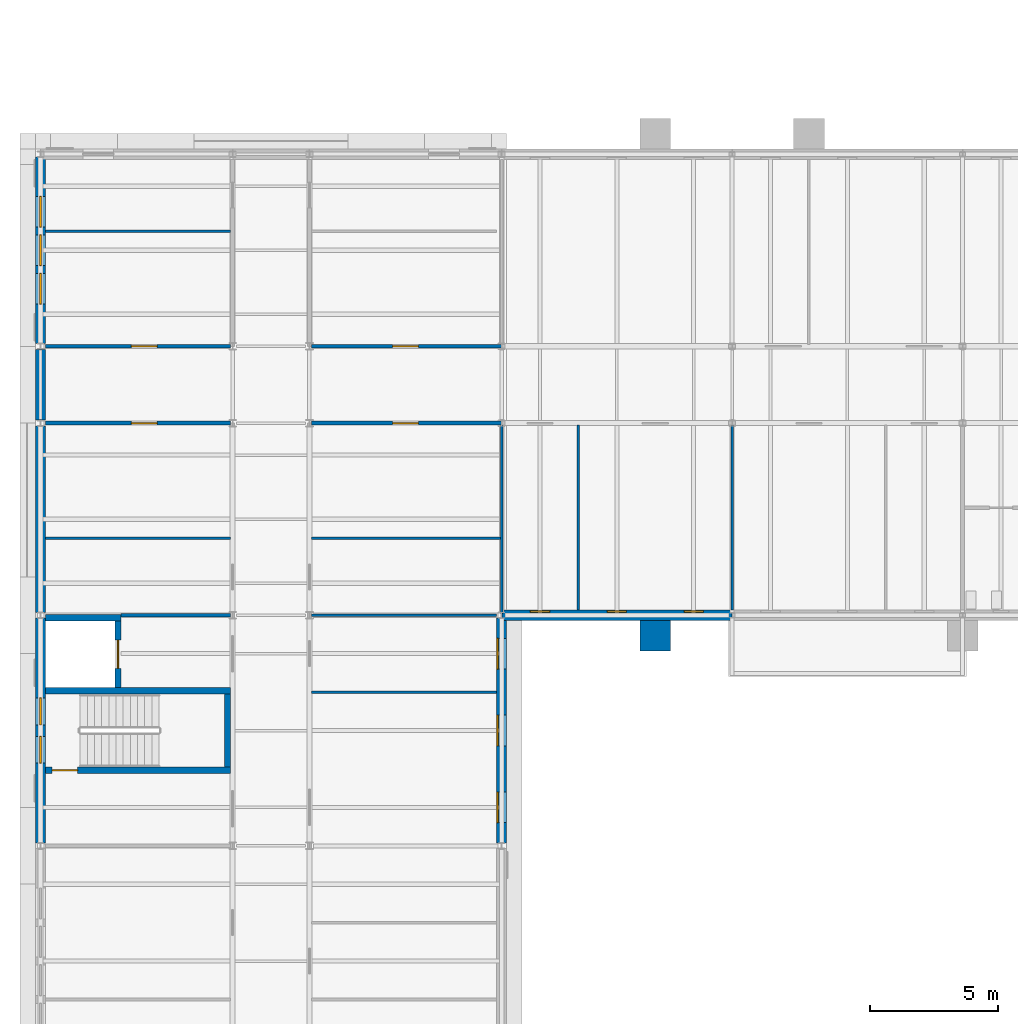
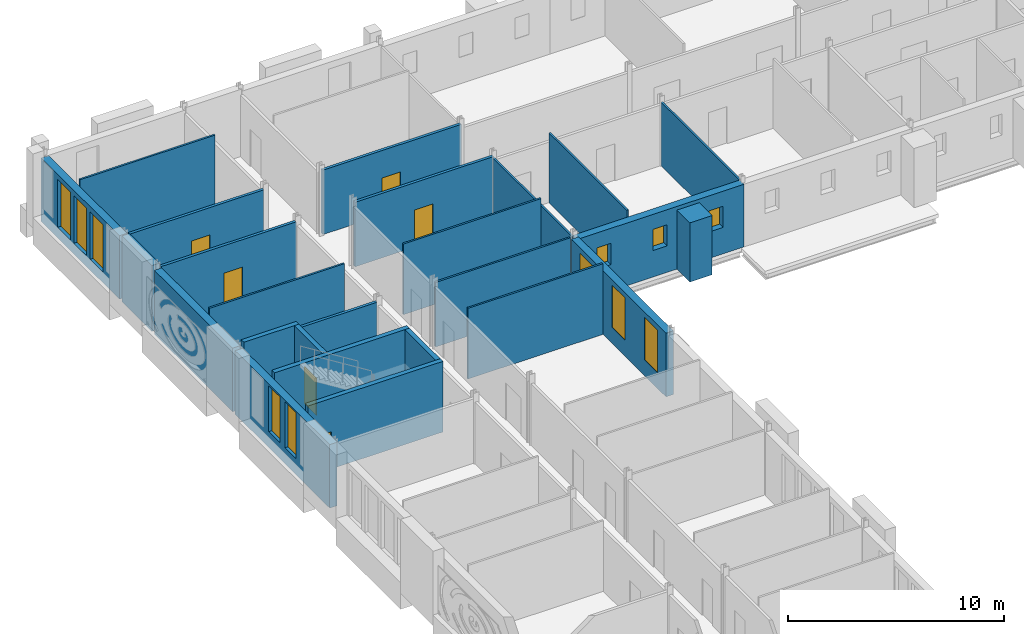
# One storey, part 92 of 121: 25 walls, 11 windows, 6 doors, 17 openings.
"""IFC4 building model written with IfcOpenShell, lengths in metres."""

from ifc_helpers import new_model, si_unit, direction, frame, frame_2d, origin, place, context, subcontext, project, spatial, rectangle, extrude, material, layer, layer_set, type_object, element, fill, save


model = new_model("IFC4")

# Units and contexts
model_context = context("Model", 3, precision=1e-05, world=origin(), true_north=direction((0.0, 1.0)))
body_context = subcontext(model_context, "Body", "Model", "MODEL_VIEW")
ifc_project = project(units=[si_unit("LENGTHUNIT", "METRE"), si_unit("AREAUNIT", "SQUARE_METRE"), si_unit("VOLUMEUNIT", "CUBIC_METRE"), si_unit("PLANEANGLEUNIT", "RADIAN"), si_unit("MASSUNIT", "GRAM", prefix="KILO")], contexts=[model_context])

# Site, building, storey
site_placement = place(None, origin())
site = spatial("IfcSite", under=ifc_project, at=site_placement, CompositionType="ELEMENT")
building_placement = place(site_placement, origin())
building = spatial("IfcBuilding", under=site, at=building_placement, Name="Golden Quay Civic Hall", CompositionType="ELEMENT")
storey_placement = place(building_placement, frame((0.0, 0.0, 18.60009765625)))
storey = spatial("IfcBuildingStorey", under=building, at=storey_placement, Name="L04", CompositionType="ELEMENT", Elevation=18.60009765625)

# Wall, openings, windows
ifc_material_1 = material(Name="Brick, dark clay facing", Category="masonry")
ifc_layer_1 = layer(ifc_material_1, 0.39990234375)
ifc_layer_set_1 = layer_set([ifc_layer_1], Name="Brick external wall 400")
wall_type_1 = type_object("IfcWallType", Name="Brick external wall 400", PredefinedType="STANDARD", material=ifc_layer_set_1)
wall_1_placement = place(storey_placement, frame((18.0, 62.885009765625, 0.0), z_axis=(0.0, 0.0, 1.0), x_axis=(0.0, -1.0, 0.0)))
wall_1 = element("IfcWall", 1, at=wall_1_placement, inside=storey, type_object=wall_type_1, Name="Brick external wall 400 L04 1", PredefinedType="STANDARD", context=body_context, shape_type="SweptSolid", body=[
    extrude(rectangle(XDim=8.77001953125, YDim=0.39990234375, at=frame_2d((4.385009765625, 0.0))), origin(), (0.0, 0.0, 1.0), 3.599853515625),
])
opening_1_placement = place(wall_1_placement, frame((6.784912109375, 0.0, 0.89990234375)))
opening_1 = element("IfcOpeningElement", 2, at=opening_1_placement, cuts=wall_1, Name="Opening WN7", PredefinedType="OPENING", context=body_context, shape_type="SweptSolid", body=[
    extrude(rectangle(XDim=1.199951171875, YDim=2.39990234375, at=frame_2d((0.60009765625, 1.199951171875))), frame((0.0, 0.2099609375, 0.0), z_axis=(0.0, -1.0, 0.0), x_axis=(1.0, 0.0, 0.0)), (0.0, 0.0, 1.0), 0.419921875),
])
opening_2_placement = place(wall_1_placement, frame((3.784912109375, 0.0, 0.89990234375)))
opening_2 = element("IfcOpeningElement", 3, at=opening_2_placement, cuts=wall_1, Name="Opening WN7", PredefinedType="OPENING", context=body_context, shape_type="SweptSolid", body=[
    extrude(rectangle(XDim=1.199951171875, YDim=2.39990234375, at=frame_2d((0.60009765625, 1.199951171875))), frame((0.0, 0.2099609375, 0.0), z_axis=(0.0, -1.0, 0.0), x_axis=(1.0, 0.0, 0.0)), (0.0, 0.0, 1.0), 0.419921875),
])
opening_3_placement = place(wall_1_placement, frame((0.784912109375, 0.0, 0.89990234375)))
opening_3 = element("IfcOpeningElement", 4, at=opening_3_placement, cuts=wall_1, Name="Opening WN7", PredefinedType="OPENING", context=body_context, shape_type="SweptSolid", body=[
    extrude(rectangle(XDim=1.199951171875, YDim=2.39990234375, at=frame_2d((0.60009765625, 1.199951171875))), frame((0.0, 0.2099609375, 0.0), z_axis=(0.0, -1.0, 0.0), x_axis=(1.0, 0.0, 0.0)), (0.0, 0.0, 1.0), 0.419921875),
])
ifc_material_2 = material(Name="Aluminium frame, double glazed", Category="aluminium")
window_type_1 = type_object("IfcWindowType", Name="Window 1200 x 2400", PartitioningType="SINGLE_PANEL", PredefinedType="WINDOW", material=ifc_material_2)
window_1_placement = place(opening_1_placement, origin())
window_1 = element("IfcWindow", 5, at=window_1_placement, inside=storey, type_object=window_type_1, Name="Window 1200 x 2400 L04 1", OverallHeight=2.39990234375, OverallWidth=1.199951171875, PartitioningType="SINGLE_PANEL", PredefinedType="WINDOW", context=body_context, shape_type="SweptSolid", body=[
    extrude(rectangle(XDim=1.199951171875, YDim=2.39990234375, at=frame_2d((0.60009765625, 1.199951171875))), frame((0.0, -0.119873046875, 0.0), z_axis=(0.0, -1.0, 0.0), x_axis=(1.0, 0.0, 0.0)), (0.0, 0.0, 1.0), 0.06005859375),
])
fill(opening_1, window_1)
window_2_placement = place(opening_2_placement, origin())
window_2 = element("IfcWindow", 6, at=window_2_placement, inside=storey, type_object=window_type_1, Name="Window 1200 x 2400 L04 2", OverallHeight=2.39990234375, OverallWidth=1.199951171875, PartitioningType="SINGLE_PANEL", PredefinedType="WINDOW", context=body_context, shape_type="SweptSolid", body=[
    extrude(rectangle(XDim=1.199951171875, YDim=2.39990234375, at=frame_2d((0.60009765625, 1.199951171875))), frame((0.0, -0.119873046875, 0.0), z_axis=(0.0, -1.0, 0.0), x_axis=(1.0, 0.0, 0.0)), (0.0, 0.0, 1.0), 0.06005859375),
])
fill(opening_2, window_2)
window_3_placement = place(opening_3_placement, origin())
window_3 = element("IfcWindow", 7, at=window_3_placement, inside=storey, type_object=window_type_1, Name="Window 1200 x 2400 L04 3", OverallHeight=2.39990234375, OverallWidth=1.199951171875, PartitioningType="SINGLE_PANEL", PredefinedType="WINDOW", context=body_context, shape_type="SweptSolid", body=[
    extrude(rectangle(XDim=1.199951171875, YDim=2.39990234375, at=frame_2d((0.60009765625, 1.199951171875))), frame((0.0, -0.119873046875, 0.0), z_axis=(0.0, -1.0, 0.0), x_axis=(1.0, 0.0, 0.0)), (0.0, 0.0, 1.0), 0.06005859375),
])
fill(opening_3, window_3)

wall_2_placement = place(storey_placement, frame((26.99169921875, 63.0, 0.0), z_axis=(0.0, 0.0, 1.0), x_axis=(-1.0, 0.0, 0.0)))
wall_2 = element("IfcWall", 8, at=wall_2_placement, inside=storey, type_object=wall_type_1, Name="Brick external wall 400 L04 8", PredefinedType="STANDARD", context=body_context, shape_type="SweptSolid", body=[
    extrude(rectangle(XDim=8.98291015625, YDim=0.39990234375, at=frame_2d((4.491455078125, 0.0))), origin(), (0.0, 0.0, 1.0), 3.5498046875),
])
opening_4_placement = place(wall_2_placement, frame((7.11669921875, 0.0, 1.5)))
opening_4 = element("IfcOpeningElement", 9, at=opening_4_placement, cuts=wall_2, Name="Opening WN11", PredefinedType="OPENING", context=body_context, shape_type="SweptSolid", body=[
    extrude(rectangle(XDim=0.75, YDim=1.199951171875, at=frame_2d((0.375, 0.60009765625))), frame((0.0, 0.2099609375, 0.0), z_axis=(0.0, -1.0, 0.0), x_axis=(1.0, 0.0, 0.0)), (0.0, 0.0, 1.0), 0.419921875),
])
opening_5_placement = place(wall_2_placement, frame((4.11669921875, 0.0, 1.5)))
opening_5 = element("IfcOpeningElement", 10, at=opening_5_placement, cuts=wall_2, Name="Opening WN11", PredefinedType="OPENING", context=body_context, shape_type="SweptSolid", body=[
    extrude(rectangle(XDim=0.75, YDim=1.199951171875, at=frame_2d((0.375, 0.60009765625))), frame((0.0, 0.2099609375, 0.0), z_axis=(0.0, -1.0, 0.0), x_axis=(1.0, 0.0, 0.0)), (0.0, 0.0, 1.0), 0.419921875),
])
opening_6_placement = place(wall_2_placement, frame((1.11669921875, 0.0, 1.5)))
opening_6 = element("IfcOpeningElement", 11, at=opening_6_placement, cuts=wall_2, Name="Opening WN11", PredefinedType="OPENING", context=body_context, shape_type="SweptSolid", body=[
    extrude(rectangle(XDim=0.75, YDim=1.199951171875, at=frame_2d((0.375, 0.60009765625))), frame((0.0, 0.2099609375, 0.0), z_axis=(0.0, -1.0, 0.0), x_axis=(1.0, 0.0, 0.0)), (0.0, 0.0, 1.0), 0.419921875),
])
ifc_material_3 = material(Name="Aluminium frame, double glazed", Category="aluminium")
window_type_2 = type_object("IfcWindowType", Name="Attic pair window 750 x 1200", PartitioningType="SINGLE_PANEL", PredefinedType="WINDOW", material=ifc_material_3)
window_4_placement = place(opening_4_placement, origin())
window_4 = element("IfcWindow", 12, at=window_4_placement, inside=storey, type_object=window_type_2, Name="Attic pair window 750 x 1200 L04 15", OverallHeight=1.199951171875, OverallWidth=0.75, PartitioningType="SINGLE_PANEL", PredefinedType="WINDOW", context=body_context, shape_type="SweptSolid", body=[
    extrude(rectangle(XDim=0.75, YDim=1.199951171875, at=frame_2d((0.375, 0.60009765625))), frame((0.0, -0.119873046875, 0.0), z_axis=(0.0, -1.0, 0.0), x_axis=(1.0, 0.0, 0.0)), (0.0, 0.0, 1.0), 0.06005859375),
])
fill(opening_4, window_4)
window_5_placement = place(opening_5_placement, origin())
window_5 = element("IfcWindow", 13, at=window_5_placement, inside=storey, type_object=window_type_2, Name="Attic pair window 750 x 1200 L04 16", OverallHeight=1.199951171875, OverallWidth=0.75, PartitioningType="SINGLE_PANEL", PredefinedType="WINDOW", context=body_context, shape_type="SweptSolid", body=[
    extrude(rectangle(XDim=0.75, YDim=1.199951171875, at=frame_2d((0.375, 0.60009765625))), frame((0.0, -0.119873046875, 0.0), z_axis=(0.0, -1.0, 0.0), x_axis=(1.0, 0.0, 0.0)), (0.0, 0.0, 1.0), 0.06005859375),
])
fill(opening_5, window_5)
window_6_placement = place(opening_6_placement, origin())
window_6 = element("IfcWindow", 14, at=window_6_placement, inside=storey, type_object=window_type_2, Name="Attic pair window 750 x 1200 L04 17", OverallHeight=1.199951171875, OverallWidth=0.75, PartitioningType="SINGLE_PANEL", PredefinedType="WINDOW", context=body_context, shape_type="SweptSolid", body=[
    extrude(rectangle(XDim=0.75, YDim=1.199951171875, at=frame_2d((0.375, 0.60009765625))), frame((0.0, -0.119873046875, 0.0), z_axis=(0.0, -1.0, 0.0), x_axis=(1.0, 0.0, 0.0)), (0.0, 0.0, 1.0), 0.06005859375),
])
fill(opening_6, window_6)

# Wall
ifc_material_4 = material(Name="Brick, dark clay facing", Category="masonry")
ifc_layer_2 = layer(ifc_material_4, 1.199951171875)
ifc_layer_set_2 = layer_set([ifc_layer_2], Name="Brick pilaster 1200 x 1200")
wall_type_2 = type_object("IfcWallType", Name="Brick pilaster 1200 x 1200", PredefinedType="STANDARD", material=ifc_layer_set_2)
wall_3_placement = place(storey_placement, frame((23.39990234375, 62.199951171875, 0.0), z_axis=(0.0, 0.0, 1.0), x_axis=(1.0, 0.0, 0.0)))
element("IfcWall", 15, at=wall_3_placement, inside=storey, type_object=wall_type_2, Name="Brick pilaster 1200 x 1200 L04 6", PredefinedType="STANDARD", context=body_context, shape_type="SweptSolid", body=[
    extrude(rectangle(XDim=1.2001953125, YDim=1.199951171875, at=frame_2d((0.60009765625, 0.0))), origin(), (0.0, 0.0, 1.0), 3.349853515625),
])

# Wall, opening, door
ifc_material_5 = material(Name="Concrete C40/50", Category="concrete")
ifc_layer_3 = layer(ifc_material_5, 0.25)
ifc_layer_set_3 = layer_set([ifc_layer_3], Name="Concrete core wall 250, Concrete C40/50")
wall_type_3 = type_object("IfcWallType", Name="Concrete core wall 250", PredefinedType="SHEAR", material=ifc_layer_set_3)
wall_4_placement = place(storey_placement, frame((0.199951171875, 56.949951171875, 0.0), z_axis=(0.0, 0.0, 1.0), x_axis=(1.0, 0.0, 0.0)))
wall_4 = element("IfcWall", 16, at=wall_4_placement, inside=storey, type_object=wall_type_3, Name="Core wall WO-N-W1", PredefinedType="SHEAR", context=body_context, shape_type="SweptSolid", body=[
    extrude(rectangle(XDim=7.22509765625, YDim=0.25, at=frame_2d((3.612548828125, 0.0))), origin(), (0.0, 0.0, 1.0), 4.0),
])
opening_7_placement = place(wall_4_placement, frame((0.25, 0.0, 0.0)))
opening_7 = element("IfcOpeningElement", 17, at=opening_7_placement, cuts=wall_4, Name="Opening L04-D028", PredefinedType="OPENING", context=body_context, shape_type="SweptSolid", body=[
    extrude(rectangle(XDim=1.0, YDim=2.10009765625, at=frame_2d((0.5, 1.050048828125))), frame((0.0, 0.135009765625, 0.0), z_axis=(0.0, -1.0, 0.0), x_axis=(1.0, 0.0, 0.0)), (0.0, 0.0, 1.0), 0.27001953125),
])
ifc_material_6 = material(Name="Steel", Category="steel")
door_type_1 = type_object("IfcDoorType", Name="Steel fire door FD60 1000 x 2100", OperationType="SINGLE_SWING_LEFT", PredefinedType="DOOR", material=ifc_material_6)
door_1_placement = place(opening_7_placement, origin())
door_1 = element("IfcDoor", 18, at=door_1_placement, inside=storey, type_object=door_type_1, Name="Door L04-D028", OperationType="SINGLE_SWING_LEFT", OverallHeight=2.10009765625, OverallWidth=1.0, PredefinedType="DOOR", context=body_context, shape_type="SweptSolid", body=[
    extrude(rectangle(XDim=1.0, YDim=2.10009765625, at=frame_2d((0.5, 1.050048828125))), frame((0.0, 0.02490234375, 0.0), z_axis=(0.0, -1.0, 0.0), x_axis=(1.0, 0.0, 0.0)), (0.0, 0.0, 1.0), 0.050048828125),
])
fill(opening_7, door_1)

# Walls
wall_5_placement = place(storey_placement, frame((0.199951171875, 60.050048828125, 0.0), z_axis=(0.0, 0.0, 1.0), x_axis=(1.0, 0.0, 0.0)))
element("IfcWall", 19, at=wall_5_placement, inside=storey, type_object=wall_type_3, Name="Core wall WO-N-W2", PredefinedType="SHEAR", context=body_context, shape_type="SweptSolid", body=[
    extrude(rectangle(XDim=7.22509765625, YDim=0.25, at=frame_2d((3.612548828125, 0.0))), origin(), (0.0, 0.0, 1.0), 4.0),
])
wall_6_placement = place(storey_placement, frame((7.300048828125, 57.074951171875, 0.0), z_axis=(0.0, 0.0, 1.0), x_axis=(0.0, 1.0, 0.0)))
element("IfcWall", 20, at=wall_6_placement, inside=storey, type_object=wall_type_3, Name="Core wall WO-N-W3", PredefinedType="SHEAR", context=body_context, shape_type="SweptSolid", body=[
    extrude(rectangle(XDim=2.85009765625, YDim=0.25, at=frame_2d((1.425048828125, 0.0))), origin(), (0.0, 0.0, 1.0), 4.0),
])

# Wall, opening, door
wall_7_placement = place(storey_placement, frame((3.02490234375, 60.175048828125, 0.0), z_axis=(0.0, 0.0, 1.0), x_axis=(0.0, 1.0, 0.0)))
wall_7 = element("IfcWall", 21, at=wall_7_placement, inside=storey, type_object=wall_type_3, Name="Core wall WO-N-W4", PredefinedType="SHEAR", context=body_context, shape_type="SweptSolid", body=[
    extrude(rectangle(XDim=2.599853515625, YDim=0.25, at=frame_2d((1.2998046875, 0.0))), origin(), (0.0, 0.0, 1.0), 4.0),
])
opening_8_placement = place(wall_7_placement, frame((0.75, 0.0, 0.0)))
opening_8 = element("IfcOpeningElement", 22, at=opening_8_placement, cuts=wall_7, Name="Opening L04-D043", PredefinedType="OPENING", context=body_context, shape_type="SweptSolid", body=[
    extrude(rectangle(XDim=1.10009765625, YDim=2.10009765625, at=frame_2d((0.550048828125, 1.050048828125))), frame((0.0, 0.135009765625, 0.0), z_axis=(0.0, -1.0, 0.0), x_axis=(1.0, 0.0, 0.0)), (0.0, 0.0, 1.0), 0.27001953125),
])
ifc_material_7 = material(Name="Steel", Category="steel")
door_type_2 = type_object("IfcDoorType", Name="Lift landing door 1100 x 2100", OperationType="SLIDING_TO_LEFT", PredefinedType="DOOR", material=ifc_material_7)
door_2_placement = place(opening_8_placement, origin())
door_2 = element("IfcDoor", 23, at=door_2_placement, inside=storey, type_object=door_type_2, Name="Lift landing door L04-D043 WO-N", OperationType="SLIDING_TO_LEFT", OverallHeight=2.10009765625, OverallWidth=1.10009765625, PredefinedType="DOOR", context=body_context, shape_type="SweptSolid", body=[
    extrude(rectangle(XDim=1.10009765625, YDim=2.10009765625, at=frame_2d((0.550048828125, 1.050048828125))), frame((0.0, 0.02490234375, 0.0), z_axis=(0.0, -1.0, 0.0), x_axis=(1.0, 0.0, 0.0)), (0.0, 0.0, 1.0), 0.050048828125),
])
fill(opening_8, door_2)

# Walls
wall_8_placement = place(storey_placement, frame((0.199951171875, 62.89990234375, 0.0), z_axis=(0.0, 0.0, 1.0), x_axis=(1.0, 0.0, 0.0)))
element("IfcWall", 24, at=wall_8_placement, inside=storey, type_object=wall_type_3, Name="Core wall WO-N-W5", PredefinedType="SHEAR", context=body_context, shape_type="SweptSolid", body=[
    extrude(rectangle(XDim=2.949951171875, YDim=0.25, at=frame_2d((1.47509765625, 0.0))), origin(), (0.0, 0.0, 1.0), 4.0),
])
ifc_material_8 = material(Name="Plasterboard on steel studs", Category="steel")
ifc_layer_4 = layer(ifc_material_8, 0.10009765625)
ifc_layer_set_4 = layer_set([ifc_layer_4], Name="Partition 100 stud")
wall_type_4 = type_object("IfcWallType", Name="Partition 100 stud", PredefinedType="PARTITIONING", material=ifc_layer_set_4)
wall_9_placement = place(storey_placement, frame((10.574951171875, 60.0, 0.0), z_axis=(0.0, 0.0, 1.0), x_axis=(1.0, 0.0, 0.0)))
element("IfcWall", 25, at=wall_9_placement, inside=storey, type_object=wall_type_4, Name="Partition L04-021", PredefinedType="PARTITIONING", context=body_context, shape_type="SweptSolid", body=[
    extrude(rectangle(XDim=7.22509765625, YDim=0.10009765625, at=frame_2d((3.612548828125, 0.0))), origin(), (0.0, 0.0, 1.0), 4.0),
])
wall_10_placement = place(storey_placement, frame((10.574951171875, 63.0, 0.0), z_axis=(0.0, 0.0, 1.0), x_axis=(1.0, 0.0, 0.0)))
element("IfcWall", 26, at=wall_10_placement, inside=storey, type_object=wall_type_4, Name="Partition L04-022", PredefinedType="PARTITIONING", context=body_context, shape_type="SweptSolid", body=[
    extrude(rectangle(XDim=7.22509765625, YDim=0.10009765625, at=frame_2d((3.612548828125, 0.0))), origin(), (0.0, 0.0, 1.0), 3.64990234375),
])
wall_11_placement = place(storey_placement, frame((0.199951171875, 66.0, 0.0), z_axis=(0.0, 0.0, 1.0), x_axis=(1.0, 0.0, 0.0)))
element("IfcWall", 27, at=wall_11_placement, inside=storey, type_object=wall_type_4, Name="Partition L04-036", PredefinedType="PARTITIONING", context=body_context, shape_type="SweptSolid", body=[
    extrude(rectangle(XDim=7.22509765625, YDim=0.10009765625, at=frame_2d((3.612548828125, 0.0))), origin(), (0.0, 0.0, 1.0), 4.0),
])
wall_12_placement = place(storey_placement, frame((10.574951171875, 66.0, 0.0), z_axis=(0.0, 0.0, 1.0), x_axis=(1.0, 0.0, 0.0)))
element("IfcWall", 28, at=wall_12_placement, inside=storey, type_object=wall_type_4, Name="Partition L04-037", PredefinedType="PARTITIONING", context=body_context, shape_type="SweptSolid", body=[
    extrude(rectangle(XDim=7.375, YDim=0.10009765625, at=frame_2d((3.6875, 0.0))), origin(), (0.0, 0.0, 1.0), 4.0),
])
wall_13_placement = place(storey_placement, frame((0.199951171875, 78.0, 0.0), z_axis=(0.0, 0.0, 1.0), x_axis=(1.0, 0.0, 0.0)))
element("IfcWall", 29, at=wall_13_placement, inside=storey, type_object=wall_type_4, Name="Partition L04-038", PredefinedType="PARTITIONING", context=body_context, shape_type="SweptSolid", body=[
    extrude(rectangle(XDim=7.22509765625, YDim=0.10009765625, at=frame_2d((3.612548828125, 0.0))), origin(), (0.0, 0.0, 1.0), 4.0),
])
wall_14_placement = place(storey_placement, frame((18.0, 63.074951171875, 0.0), z_axis=(0.0, 0.0, 1.0), x_axis=(0.0, 1.0, 0.0)))
element("IfcWall", 30, at=wall_14_placement, inside=storey, type_object=wall_type_4, Name="Partition L04-040", PredefinedType="PARTITIONING", context=body_context, shape_type="SweptSolid", body=[
    extrude(rectangle(XDim=7.35009765625, YDim=0.10009765625, at=frame_2d((3.675048828125, 0.0))), origin(), (0.0, 0.0, 1.0), 3.579833984375),
])
wall_15_placement = place(storey_placement, frame((21.0, 63.199951171875, 0.0), z_axis=(0.0, 0.0, 1.0), x_axis=(0.0, 1.0, 0.0)))
element("IfcWall", 31, at=wall_15_placement, inside=storey, type_object=wall_type_4, Name="Partition L04-000", PredefinedType="PARTITIONING", context=body_context, shape_type="SweptSolid", body=[
    extrude(rectangle(XDim=7.22509765625, YDim=0.10009765625, at=frame_2d((3.612548828125, 0.0))), origin(), (0.0, 0.0, 1.0), 3.949951171875),
])
wall_16_placement = place(storey_placement, frame((27.0, 63.199951171875, 0.0), z_axis=(0.0, 0.0, 1.0), x_axis=(0.0, 1.0, 0.0)))
element("IfcWall", 32, at=wall_16_placement, inside=storey, type_object=wall_type_4, Name="Partition L04-001", PredefinedType="PARTITIONING", context=body_context, shape_type="SweptSolid", body=[
    extrude(rectangle(XDim=7.22509765625, YDim=0.10009765625, at=frame_2d((3.612548828125, 0.0))), origin(), (0.0, 0.0, 1.0), 3.599853515625),
])
ifc_material_9 = material(Name="Plasterboard on steel studs", Category="steel")
ifc_layer_5 = layer(ifc_material_9, 0.14990234375)
ifc_layer_set_5 = layer_set([ifc_layer_5], Name="Partition 150 stud fire EI 60")
wall_type_5 = type_object("IfcWallType", Name="Partition 150 stud fire EI 60", PredefinedType="PARTITIONING", material=ifc_layer_set_5)
wall_17_placement = place(storey_placement, frame((3.14990234375, 63.0, 0.0), z_axis=(0.0, 0.0, 1.0), x_axis=(1.0, 0.0, 0.0)))
element("IfcWall", 33, at=wall_17_placement, inside=storey, type_object=wall_type_5, Name="Partition L04-028", PredefinedType="PARTITIONING", context=body_context, shape_type="SweptSolid", body=[
    extrude(rectangle(XDim=4.275146484375, YDim=0.14990234375, at=frame_2d((2.1376953125, 0.0))), origin(), (0.0, 0.0, 1.0), 3.64990234375),
])

# Wall, opening, door
wall_18_placement = place(storey_placement, frame((0.199951171875, 70.5, 0.0), z_axis=(0.0, 0.0, 1.0), x_axis=(1.0, 0.0, 0.0)))
wall_18 = element("IfcWall", 34, at=wall_18_placement, inside=storey, type_object=wall_type_5, Name="Partition L04-029", PredefinedType="PARTITIONING", context=body_context, shape_type="SweptSolid", body=[
    extrude(rectangle(XDim=7.22509765625, YDim=0.14990234375, at=frame_2d((3.612548828125, 0.0))), origin(), (0.0, 0.0, 1.0), 3.64990234375),
])
opening_9_placement = place(wall_18_placement, frame((3.35009765625, 0.0, 0.0)))
opening_9 = element("IfcOpeningElement", 35, at=opening_9_placement, cuts=wall_18, Name="Opening L04-D035", PredefinedType="OPENING", context=body_context, shape_type="SweptSolid", body=[
    extrude(rectangle(XDim=1.0, YDim=2.10009765625, at=frame_2d((0.5, 1.050048828125))), frame((0.0, 0.0849609375, 0.0), z_axis=(0.0, -1.0, 0.0), x_axis=(1.0, 0.0, 0.0)), (0.0, 0.0, 1.0), 0.169921875),
])
ifc_material_10 = material(Name="Steel", Category="steel")
door_type_3 = type_object("IfcDoorType", Name="Steel fire door FD30S 1000 x 2100", OperationType="SINGLE_SWING_LEFT", PredefinedType="DOOR", material=ifc_material_10)
door_3_placement = place(opening_9_placement, frame((1.0, 0.0, 0.0), z_axis=(0.0, 0.0, 1.0), x_axis=(-1.0, 0.0, 0.0)))
door_3 = element("IfcDoor", 36, at=door_3_placement, inside=storey, type_object=door_type_3, Name="Door L04-D035", OperationType="SINGLE_SWING_RIGHT", OverallHeight=2.10009765625, OverallWidth=1.0, PredefinedType="DOOR", context=body_context, shape_type="SweptSolid", body=[
    extrude(rectangle(XDim=1.0, YDim=2.10009765625, at=frame_2d((0.5, 1.050048828125))), frame((0.0, 0.025146484375, 0.0), z_axis=(0.0, -1.0, 0.0), x_axis=(1.0, 0.0, 0.0)), (0.0, 0.0, 1.0), 0.050048828125),
])
fill(opening_9, door_3)

wall_19_placement = place(storey_placement, frame((0.199951171875, 73.5, 0.0), z_axis=(0.0, 0.0, 1.0), x_axis=(1.0, 0.0, 0.0)))
wall_19 = element("IfcWall", 37, at=wall_19_placement, inside=storey, type_object=wall_type_5, Name="Partition L04-030", PredefinedType="PARTITIONING", context=body_context, shape_type="SweptSolid", body=[
    extrude(rectangle(XDim=7.22509765625, YDim=0.14990234375, at=frame_2d((3.612548828125, 0.0))), origin(), (0.0, 0.0, 1.0), 3.64990234375),
])
opening_10_placement = place(wall_19_placement, frame((3.35009765625, 0.0, 0.0)))
opening_10 = element("IfcOpeningElement", 38, at=opening_10_placement, cuts=wall_19, Name="Opening L04-D038", PredefinedType="OPENING", context=body_context, shape_type="SweptSolid", body=[
    extrude(rectangle(XDim=1.0, YDim=2.10009765625, at=frame_2d((0.5, 1.050048828125))), frame((0.0, 0.0849609375, 0.0), z_axis=(0.0, -1.0, 0.0), x_axis=(1.0, 0.0, 0.0)), (0.0, 0.0, 1.0), 0.169921875),
])
door_4_placement = place(opening_10_placement, origin())
door_4 = element("IfcDoor", 39, at=door_4_placement, inside=storey, type_object=door_type_3, Name="Door L04-D038", OperationType="SINGLE_SWING_LEFT", OverallHeight=2.10009765625, OverallWidth=1.0, PredefinedType="DOOR", context=body_context, shape_type="SweptSolid", body=[
    extrude(rectangle(XDim=1.0, YDim=2.10009765625, at=frame_2d((0.5, 1.050048828125))), frame((0.0, 0.02490234375, 0.0), z_axis=(0.0, -1.0, 0.0), x_axis=(1.0, 0.0, 0.0)), (0.0, 0.0, 1.0), 0.050048828125),
])
fill(opening_10, door_4)

wall_20_placement = place(storey_placement, frame((10.574951171875, 70.5, 0.0), z_axis=(0.0, 0.0, 1.0), x_axis=(1.0, 0.0, 0.0)))
wall_20 = element("IfcWall", 40, at=wall_20_placement, inside=storey, type_object=wall_type_5, Name="Partition L04-031", PredefinedType="PARTITIONING", context=body_context, shape_type="SweptSolid", body=[
    extrude(rectangle(XDim=7.425048828125, YDim=0.14990234375, at=frame_2d((3.71240234375, 0.0))), origin(), (0.0, 0.0, 1.0), 3.64990234375),
])
opening_11_placement = place(wall_20_placement, frame((3.175048828125, 0.0, 0.0)))
opening_11 = element("IfcOpeningElement", 41, at=opening_11_placement, cuts=wall_20, Name="Opening L04-D037", PredefinedType="OPENING", context=body_context, shape_type="SweptSolid", body=[
    extrude(rectangle(XDim=1.0, YDim=2.10009765625, at=frame_2d((0.5, 1.050048828125))), frame((0.0, 0.0849609375, 0.0), z_axis=(0.0, -1.0, 0.0), x_axis=(1.0, 0.0, 0.0)), (0.0, 0.0, 1.0), 0.169921875),
])
door_5_placement = place(opening_11_placement, frame((1.0, 0.0, 0.0), z_axis=(0.0, 0.0, 1.0), x_axis=(-1.0, 0.0, 0.0)))
door_5 = element("IfcDoor", 42, at=door_5_placement, inside=storey, type_object=door_type_3, Name="Door L04-D037", OperationType="SINGLE_SWING_RIGHT", OverallHeight=2.10009765625, OverallWidth=1.0, PredefinedType="DOOR", context=body_context, shape_type="SweptSolid", body=[
    extrude(rectangle(XDim=1.0, YDim=2.10009765625, at=frame_2d((0.5, 1.050048828125))), frame((0.0, 0.025146484375, 0.0), z_axis=(0.0, -1.0, 0.0), x_axis=(1.0, 0.0, 0.0)), (0.0, 0.0, 1.0), 0.050048828125),
])
fill(opening_11, door_5)

wall_21_placement = place(storey_placement, frame((10.574951171875, 73.5, 0.0), z_axis=(0.0, 0.0, 1.0), x_axis=(1.0, 0.0, 0.0)))
wall_21 = element("IfcWall", 43, at=wall_21_placement, inside=storey, type_object=wall_type_5, Name="Partition L04-032", PredefinedType="PARTITIONING", context=body_context, shape_type="SweptSolid", body=[
    extrude(rectangle(XDim=7.425048828125, YDim=0.14990234375, at=frame_2d((3.71240234375, 0.0))), origin(), (0.0, 0.0, 1.0), 3.64990234375),
])
opening_12_placement = place(wall_21_placement, frame((3.175048828125, 0.0, 0.0)))
opening_12 = element("IfcOpeningElement", 44, at=opening_12_placement, cuts=wall_21, Name="Opening L04-D040", PredefinedType="OPENING", context=body_context, shape_type="SweptSolid", body=[
    extrude(rectangle(XDim=1.0, YDim=2.10009765625, at=frame_2d((0.5, 1.050048828125))), frame((0.0, 0.0849609375, 0.0), z_axis=(0.0, -1.0, 0.0), x_axis=(1.0, 0.0, 0.0)), (0.0, 0.0, 1.0), 0.169921875),
])
door_6_placement = place(opening_12_placement, origin())
door_6 = element("IfcDoor", 45, at=door_6_placement, inside=storey, type_object=door_type_3, Name="Door L04-D040", OperationType="SINGLE_SWING_LEFT", OverallHeight=2.10009765625, OverallWidth=1.0, PredefinedType="DOOR", context=body_context, shape_type="SweptSolid", body=[
    extrude(rectangle(XDim=1.0, YDim=2.10009765625, at=frame_2d((0.5, 1.050048828125))), frame((0.0, 0.02490234375, 0.0), z_axis=(0.0, -1.0, 0.0), x_axis=(1.0, 0.0, 0.0)), (0.0, 0.0, 1.0), 0.050048828125),
])
fill(opening_12, door_6)

# Walls
ifc_material_11 = material(Name="Clay block, rendered, cream")
ifc_layer_6 = layer(ifc_material_11, 0.39990234375)
ifc_layer_set_6 = layer_set([ifc_layer_6], Name="Rendered block external wall 400")
wall_type_6 = type_object("IfcWallType", Name="Rendered block external wall 400", PredefinedType="STANDARD", material=ifc_layer_set_6)
wall_22_placement = place(storey_placement, frame((0.0, 63.114990234375, 0.0), z_axis=(0.0, 0.0, 1.0), x_axis=(0.0, 1.0, 0.0)))
element("IfcWall", 46, at=wall_22_placement, inside=storey, type_object=wall_type_6, Name="Rendered block external wall 400 L04 6", PredefinedType="STANDARD", context=body_context, shape_type="SweptSolid", body=[
    extrude(rectangle(XDim=7.27001953125, YDim=0.39990234375, at=frame_2d((3.635009765625, 0.0))), origin(), (0.0, 0.0, 1.0), 3.599853515625),
])
wall_23_placement = place(storey_placement, frame((0.0, 70.614990234375, 0.0), z_axis=(0.0, 0.0, 1.0), x_axis=(0.0, 1.0, 0.0)))
element("IfcWall", 47, at=wall_23_placement, inside=storey, type_object=wall_type_6, Name="Rendered block external wall 400 L04 7", PredefinedType="STANDARD", context=body_context, shape_type="SweptSolid", body=[
    extrude(rectangle(XDim=2.77001953125, YDim=0.39990234375, at=frame_2d((1.385009765625, 0.0))), origin(), (0.0, 0.0, 1.0), 3.72998046875),
])

# Wall, openings, windows
wall_24_placement = place(storey_placement, frame((0.0, 73.614990234375, 0.0), z_axis=(0.0, 0.0, 1.0), x_axis=(0.0, 1.0, 0.0)))
wall_24 = element("IfcWall", 48, at=wall_24_placement, inside=storey, type_object=wall_type_6, Name="Rendered block external wall 400 L04 8", PredefinedType="STANDARD", context=body_context, shape_type="SweptSolid", body=[
    extrude(rectangle(XDim=7.27001953125, YDim=0.39990234375, at=frame_2d((3.635009765625, 0.0))), origin(), (0.0, 0.0, 1.0), 3.599853515625),
])
opening_13_placement = place(wall_24_placement, frame((1.534912109375, 0.0, 0.60009765625)))
opening_13 = element("IfcOpeningElement", 49, at=opening_13_placement, cuts=wall_24, Name="Opening WN8", PredefinedType="OPENING", context=body_context, shape_type="SweptSolid", body=[
    extrude(rectangle(XDim=1.199951171875, YDim=2.699951171875, at=frame_2d((0.60009765625, 1.35009765625))), frame((0.0, 0.2099609375, 0.0), z_axis=(0.0, -1.0, 0.0), x_axis=(1.0, 0.0, 0.0)), (0.0, 0.0, 1.0), 0.419921875),
])
opening_14_placement = place(wall_24_placement, frame((3.034912109375, 0.0, 0.60009765625)))
opening_14 = element("IfcOpeningElement", 50, at=opening_14_placement, cuts=wall_24, Name="Opening WN8", PredefinedType="OPENING", context=body_context, shape_type="SweptSolid", body=[
    extrude(rectangle(XDim=1.199951171875, YDim=2.699951171875, at=frame_2d((0.60009765625, 1.35009765625))), frame((0.0, 0.2099609375, 0.0), z_axis=(0.0, -1.0, 0.0), x_axis=(1.0, 0.0, 0.0)), (0.0, 0.0, 1.0), 0.419921875),
])
opening_15_placement = place(wall_24_placement, frame((4.534912109375, 0.0, 0.60009765625)))
opening_15 = element("IfcOpeningElement", 51, at=opening_15_placement, cuts=wall_24, Name="Opening WN8", PredefinedType="OPENING", context=body_context, shape_type="SweptSolid", body=[
    extrude(rectangle(XDim=1.199951171875, YDim=2.699951171875, at=frame_2d((0.60009765625, 1.35009765625))), frame((0.0, 0.2099609375, 0.0), z_axis=(0.0, -1.0, 0.0), x_axis=(1.0, 0.0, 0.0)), (0.0, 0.0, 1.0), 0.419921875),
])
ifc_material_12 = material(Name="Aluminium frame, double glazed", Category="aluminium")
window_type_3 = type_object("IfcWindowType", Name="Golden grid window 1200 x 2700", PartitioningType="SINGLE_PANEL", PredefinedType="WINDOW", material=ifc_material_12)
window_7_placement = place(opening_13_placement, origin())
window_7 = element("IfcWindow", 52, at=window_7_placement, inside=storey, type_object=window_type_3, Name="Golden grid window 1200 x 2700 L04 9", OverallHeight=2.699951171875, OverallWidth=1.199951171875, PartitioningType="SINGLE_PANEL", PredefinedType="WINDOW", context=body_context, shape_type="SweptSolid", body=[
    extrude(rectangle(XDim=1.199951171875, YDim=2.699951171875, at=frame_2d((0.60009765625, 1.35009765625))), frame((0.0, 0.030029296875, 0.0), z_axis=(0.0, -1.0, 0.0), x_axis=(1.0, 0.0, 0.0)), (0.0, 0.0, 1.0), 0.06005859375),
])
fill(opening_13, window_7)
window_8_placement = place(opening_14_placement, origin())
window_8 = element("IfcWindow", 53, at=window_8_placement, inside=storey, type_object=window_type_3, Name="Golden grid window 1200 x 2700 L04 10", OverallHeight=2.699951171875, OverallWidth=1.199951171875, PartitioningType="SINGLE_PANEL", PredefinedType="WINDOW", context=body_context, shape_type="SweptSolid", body=[
    extrude(rectangle(XDim=1.199951171875, YDim=2.699951171875, at=frame_2d((0.60009765625, 1.35009765625))), frame((0.0, 0.030029296875, 0.0), z_axis=(0.0, -1.0, 0.0), x_axis=(1.0, 0.0, 0.0)), (0.0, 0.0, 1.0), 0.06005859375),
])
fill(opening_14, window_8)
window_9_placement = place(opening_15_placement, origin())
window_9 = element("IfcWindow", 54, at=window_9_placement, inside=storey, type_object=window_type_3, Name="Golden grid window 1200 x 2700 L04 11", OverallHeight=2.699951171875, OverallWidth=1.199951171875, PartitioningType="SINGLE_PANEL", PredefinedType="WINDOW", context=body_context, shape_type="SweptSolid", body=[
    extrude(rectangle(XDim=1.199951171875, YDim=2.699951171875, at=frame_2d((0.60009765625, 1.35009765625))), frame((0.0, 0.030029296875, 0.0), z_axis=(0.0, -1.0, 0.0), x_axis=(1.0, 0.0, 0.0)), (0.0, 0.0, 1.0), 0.06005859375),
])
fill(opening_15, window_9)

ifc_material_13 = material(Name="Clay block, rendered, cream")
ifc_layer_7 = layer(ifc_material_13, 0.39990234375)
ifc_layer_set_7 = layer_set([ifc_layer_7], Name="Rendered block external wall 400 fire EI 60")
wall_type_7 = type_object("IfcWallType", Name="Rendered block external wall 400 fire EI 60", PredefinedType="STANDARD", material=ifc_layer_set_7)
wall_25_placement = place(storey_placement, frame((0.0, 54.114990234375, 0.0), z_axis=(0.0, 0.0, 1.0), x_axis=(0.0, 1.0, 0.0)))
wall_25 = element("IfcWall", 55, at=wall_25_placement, inside=storey, type_object=wall_type_7, Name="Rendered block external wall 400 fire EI 60 L04 2", PredefinedType="STANDARD", context=body_context, shape_type="SweptSolid", body=[
    extrude(rectangle(XDim=8.77001953125, YDim=0.39990234375, at=frame_2d((4.385009765625, 0.0))), origin(), (0.0, 0.0, 1.0), 3.599853515625),
])
opening_16_placement = place(wall_25_placement, frame((3.110107421875, 0.0, 0.89990234375)))
opening_16 = element("IfcOpeningElement", 56, at=opening_16_placement, cuts=wall_25, Name="Opening WN9", PredefinedType="OPENING", context=body_context, shape_type="SweptSolid", body=[
    extrude(rectangle(XDim=1.050048828125, YDim=2.60009765625, at=frame_2d((0.52490234375, 1.300048828125))), frame((0.0, 0.2099609375, 0.0), z_axis=(0.0, -1.0, 0.0), x_axis=(1.0, 0.0, 0.0)), (0.0, 0.0, 1.0), 0.419921875),
])
opening_17_placement = place(wall_25_placement, frame((4.610107421875, 0.0, 0.89990234375)))
opening_17 = element("IfcOpeningElement", 57, at=opening_17_placement, cuts=wall_25, Name="Opening WN9", PredefinedType="OPENING", context=body_context, shape_type="SweptSolid", body=[
    extrude(rectangle(XDim=1.050048828125, YDim=2.60009765625, at=frame_2d((0.52490234375, 1.300048828125))), frame((0.0, 0.2099609375, 0.0), z_axis=(0.0, -1.0, 0.0), x_axis=(1.0, 0.0, 0.0)), (0.0, 0.0, 1.0), 0.419921875),
])
ifc_material_14 = material(Name="Aluminium frame, double glazed", Category="aluminium")
window_type_4 = type_object("IfcWindowType", Name="Stair light window 1050 x 2600", PartitioningType="SINGLE_PANEL", PredefinedType="WINDOW", material=ifc_material_14)
window_10_placement = place(opening_16_placement, origin())
window_10 = element("IfcWindow", 58, at=window_10_placement, inside=storey, type_object=window_type_4, Name="Stair light window 1050 x 2600 L04 3", OverallHeight=2.60009765625, OverallWidth=1.050048828125, PartitioningType="SINGLE_PANEL", PredefinedType="WINDOW", context=body_context, shape_type="SweptSolid", body=[
    extrude(rectangle(XDim=1.050048828125, YDim=2.60009765625, at=frame_2d((0.52490234375, 1.300048828125))), frame((0.0, 0.030029296875, 0.0), z_axis=(0.0, -1.0, 0.0), x_axis=(1.0, 0.0, 0.0)), (0.0, 0.0, 1.0), 0.06005859375),
])
fill(opening_16, window_10)
window_11_placement = place(opening_17_placement, origin())
window_11 = element("IfcWindow", 59, at=window_11_placement, inside=storey, type_object=window_type_4, Name="Stair light window 1050 x 2600 L04 4", OverallHeight=2.60009765625, OverallWidth=1.050048828125, PartitioningType="SINGLE_PANEL", PredefinedType="WINDOW", context=body_context, shape_type="SweptSolid", body=[
    extrude(rectangle(XDim=1.050048828125, YDim=2.60009765625, at=frame_2d((0.52490234375, 1.300048828125))), frame((0.0, 0.030029296875, 0.0), z_axis=(0.0, -1.0, 0.0), x_axis=(1.0, 0.0, 0.0)), (0.0, 0.0, 1.0), 0.06005859375),
])
fill(opening_17, window_11)

save(model, "model.ifc")
